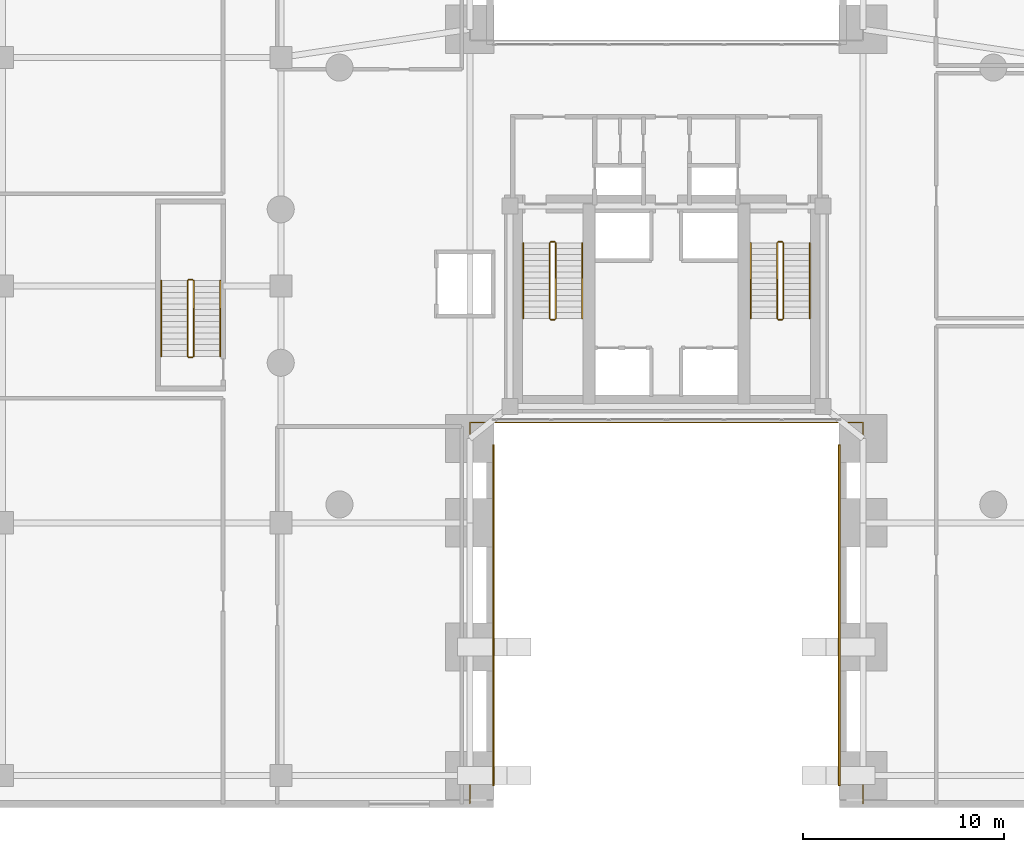
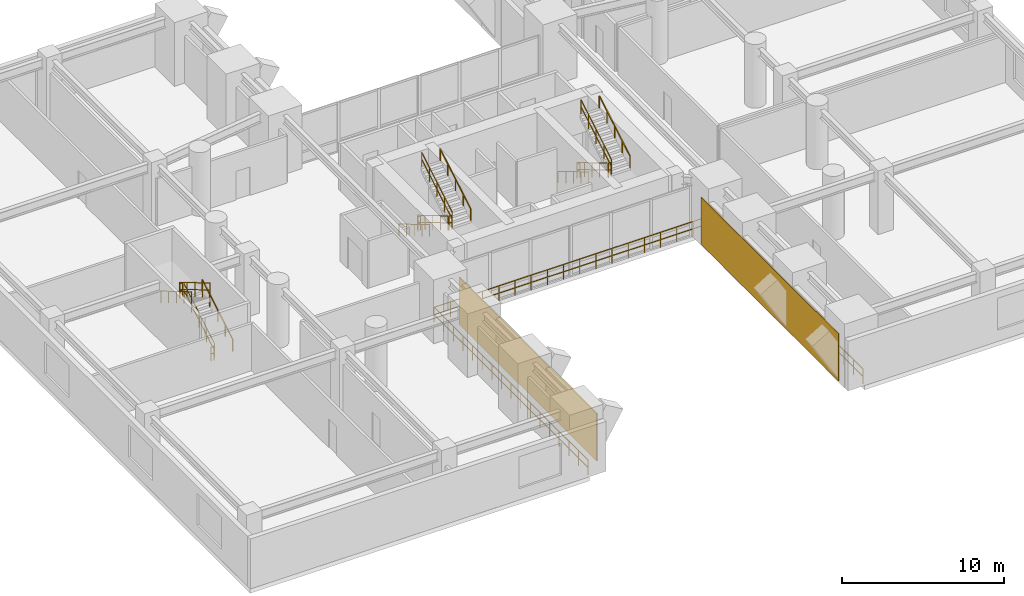
# One storey, part 13 of 14: 19 railings, 2 coverings.
"""IFC4 building model written with IfcOpenShell, lengths in metres."""

from ifc_helpers import new_model, si_unit, direction, frame, origin, origin_2d, place, context, subcontext, project, spatial, rectangle, extrude, material, layer, layer_set, type_object, element, save


model = new_model("IFC4")

# Units and contexts
model_context = context("Model", 3, precision=1e-05, world=origin(), true_north=direction((0.0, 1.0)))
body_context = subcontext(model_context, "Body", "Model", "MODEL_VIEW")
ifc_project = project(units=[si_unit("LENGTHUNIT", "METRE"), si_unit("AREAUNIT", "SQUARE_METRE"), si_unit("VOLUMEUNIT", "CUBIC_METRE"), si_unit("PLANEANGLEUNIT", "RADIAN"), si_unit("MASSUNIT", "GRAM", prefix="KILO"), si_unit("THERMODYNAMICTEMPERATUREUNIT", "KELVIN"), si_unit("POWERUNIT", "WATT")], contexts=[model_context])

# Site, building, storey
site_placement = place(None, origin())
site = spatial("IfcSite", under=ifc_project, at=site_placement, CompositionType="ELEMENT")
building_placement = place(site_placement, origin())
building = spatial("IfcBuilding", under=site, at=building_placement, Name="Ocrelia Relay Tower", CompositionType="ELEMENT")
storey_placement = place(building_placement, frame((0.0, 0.0, 5.39990234375)))
storey = spatial("IfcBuildingStorey", under=building, at=storey_placement, Name="L01", CompositionType="ELEMENT", Elevation=5.39990234375)

# Coverings
ifc_material_1 = material(Name="Pigmented oxide terracotta architectural cladding", Category="masonry")
ifc_layer = layer(ifc_material_1, 0.080078125, Name="Pigmented oxide terracotta architectural cladding")
ifc_layer_set = layer_set([ifc_layer], Name="Pigmented oxide terracotta architectural cladding")
covering_type = type_object("IfcCoveringType", Name="COV-ARCH-CLAD", PredefinedType="CLADDING", material=ifc_layer_set)
for number, where, z_axis, x_axis, name in (
    (1, (25.3798828125, 9.60009765625, 0.10009765625), (0.0, 0.0, 1.0), (1.0, 0.0, 0.0), "L01 Portal Arch Terracotta Cladding WS"),
    (2, (42.6201171875, 9.60009765625, 0.10009765625), (0.0, 0.0, 1.0), (1.0, 0.0, 0.0), "L01 Portal Arch Terracotta Cladding ES"),
):
    element("IfcCovering", number, at=place(storey_placement, frame(where, z_axis=z_axis, x_axis=x_axis)), inside=storey, type_object=covering_type, Name=name, PredefinedType="CLADDING", context=body_context, shape_type="SweptSolid", body=[
        extrude(rectangle(XDim=0.080078125, YDim=17.0, at=origin_2d()), origin(), (0.0, 0.0, 1.0), 3.56005859375),
    ])

# Railings
ifc_material_2 = material(Name="Steel S355 atrium balustrade", Category="steel")
railing_type_1 = type_object("IfcRailingType", Name="RL-INT-GUARD-115", PredefinedType="GUARDRAIL", material=ifc_material_2)
railing_1_placement = place(storey_placement, frame((24.199951171875, 0.199951171875, 0.0)))
element("IfcRailing", 3, at=railing_1_placement, inside=storey, type_object=railing_type_1, Name="L01 Portal Arch Gallery Guard S", PredefinedType="GUARDRAIL", context=body_context, shape_type="SweptSolid", body=[
    extrude(rectangle(XDim=0.048095703125, YDim=0.048095703125, at=origin_2d()), frame((0.0, 0.0, 1.1259765625), z_axis=(0.0, 1.0, 0.0), x_axis=(-1.0, 0.0, 0.0)), (0.0, 0.0, 1.0), 19.0),
    extrude(rectangle(XDim=0.048095703125, YDim=0.048095703125, at=origin_2d()), frame((0.0, 0.0, 0.574951171875), z_axis=(0.0, 1.0, 0.0), x_axis=(-1.0, 0.0, 0.0)), (0.0, 0.0, 1.0), 19.0),
    extrude(rectangle(XDim=0.048095703125, YDim=0.048095703125, at=origin_2d()), frame((0.0, 19.0, 1.1259765625), z_axis=(1.0, 0.0, 0.0), x_axis=(0.0, 1.0, 0.0)), (0.0, 0.0, 1.0), 19.60009765625),
    extrude(rectangle(XDim=0.048095703125, YDim=0.048095703125, at=origin_2d()), frame((0.0, 19.0, 0.574951171875), z_axis=(1.0, 0.0, 0.0), x_axis=(0.0, 1.0, 0.0)), (0.0, 0.0, 1.0), 19.60009765625),
    extrude(rectangle(XDim=0.048095703125, YDim=0.048095703125, at=origin_2d()), frame((19.60009765625, 19.0, 1.1259765625), z_axis=(0.0, -1.0, 0.0), x_axis=(1.0, 0.0, 0.0)), (0.0, 0.0, 1.0), 19.0),
    extrude(rectangle(XDim=0.048095703125, YDim=0.048095703125, at=origin_2d()), frame((19.60009765625, 19.0, 0.574951171875), z_axis=(0.0, -1.0, 0.0), x_axis=(1.0, 0.0, 0.0)), (0.0, 0.0, 1.0), 19.0),
    extrude(rectangle(XDim=0.0419921875, YDim=0.0419921875, at=origin_2d()), origin(), (0.0, 0.0, 1.0), 1.101806640625),
    extrude(rectangle(XDim=0.0419921875, YDim=0.0419921875, at=origin_2d()), frame((0.0, 1.1875, 0.0)), (0.0, 0.0, 1.0), 1.101806640625),
    extrude(rectangle(XDim=0.0419921875, YDim=0.0419921875, at=origin_2d()), frame((0.0, 2.375, 0.0)), (0.0, 0.0, 1.0), 1.101806640625),
    extrude(rectangle(XDim=0.0419921875, YDim=0.0419921875, at=origin_2d()), frame((0.0, 3.5625, 0.0)), (0.0, 0.0, 1.0), 1.101806640625),
    extrude(rectangle(XDim=0.0419921875, YDim=0.0419921875, at=origin_2d()), frame((0.0, 4.75, 0.0)), (0.0, 0.0, 1.0), 1.101806640625),
    extrude(rectangle(XDim=0.0419921875, YDim=0.0419921875, at=origin_2d()), frame((0.0, 5.9375, 0.0)), (0.0, 0.0, 1.0), 1.101806640625),
    extrude(rectangle(XDim=0.0419921875, YDim=0.0419921875, at=origin_2d()), frame((0.0, 7.125, 0.0)), (0.0, 0.0, 1.0), 1.101806640625),
    extrude(rectangle(XDim=0.0419921875, YDim=0.0419921875, at=origin_2d()), frame((0.0, 8.3125, 0.0)), (0.0, 0.0, 1.0), 1.101806640625),
    extrude(rectangle(XDim=0.0419921875, YDim=0.0419921875, at=origin_2d()), frame((0.0, 9.5, 0.0)), (0.0, 0.0, 1.0), 1.101806640625),
    extrude(rectangle(XDim=0.0419921875, YDim=0.0419921875, at=origin_2d()), frame((0.0, 10.6875, 0.0)), (0.0, 0.0, 1.0), 1.101806640625),
    extrude(rectangle(XDim=0.0419921875, YDim=0.0419921875, at=origin_2d()), frame((0.0, 11.875, 0.0)), (0.0, 0.0, 1.0), 1.101806640625),
    extrude(rectangle(XDim=0.0419921875, YDim=0.0419921875, at=origin_2d()), frame((0.0, 13.0625, 0.0)), (0.0, 0.0, 1.0), 1.101806640625),
    extrude(rectangle(XDim=0.0419921875, YDim=0.0419921875, at=origin_2d()), frame((0.0, 14.25, 0.0)), (0.0, 0.0, 1.0), 1.101806640625),
    extrude(rectangle(XDim=0.0419921875, YDim=0.0419921875, at=origin_2d()), frame((0.0, 15.4375, 0.0)), (0.0, 0.0, 1.0), 1.101806640625),
    extrude(rectangle(XDim=0.0419921875, YDim=0.0419921875, at=origin_2d()), frame((0.0, 16.625, 0.0)), (0.0, 0.0, 1.0), 1.101806640625),
    extrude(rectangle(XDim=0.0419921875, YDim=0.0419921875, at=origin_2d()), frame((0.0, 17.8125, 0.0)), (0.0, 0.0, 1.0), 1.101806640625),
    extrude(rectangle(XDim=0.0419921875, YDim=0.0419921875, at=origin_2d()), frame((0.0, 19.0, 0.0)), (0.0, 0.0, 1.0), 1.101806640625),
    extrude(rectangle(XDim=0.0419921875, YDim=0.0419921875, at=origin_2d()), frame((1.15283203125, 19.0, 0.0)), (0.0, 0.0, 1.0), 1.101806640625),
    extrude(rectangle(XDim=0.0419921875, YDim=0.0419921875, at=origin_2d()), frame((2.305908203125, 19.0, 0.0)), (0.0, 0.0, 1.0), 1.101806640625),
    extrude(rectangle(XDim=0.0419921875, YDim=0.0419921875, at=origin_2d()), frame((3.458740234375, 19.0, 0.0)), (0.0, 0.0, 1.0), 1.101806640625),
    extrude(rectangle(XDim=0.0419921875, YDim=0.0419921875, at=origin_2d()), frame((4.61181640625, 19.0, 0.0)), (0.0, 0.0, 1.0), 1.101806640625),
    extrude(rectangle(XDim=0.0419921875, YDim=0.0419921875, at=origin_2d()), frame((5.7646484375, 19.0, 0.0)), (0.0, 0.0, 1.0), 1.101806640625),
    extrude(rectangle(XDim=0.0419921875, YDim=0.0419921875, at=origin_2d()), frame((6.917724609375, 19.0, 0.0)), (0.0, 0.0, 1.0), 1.101806640625),
    extrude(rectangle(XDim=0.0419921875, YDim=0.0419921875, at=origin_2d()), frame((8.070556640625, 19.0, 0.0)), (0.0, 0.0, 1.0), 1.101806640625),
    extrude(rectangle(XDim=0.0419921875, YDim=0.0419921875, at=origin_2d()), frame((9.2236328125, 19.0, 0.0)), (0.0, 0.0, 1.0), 1.101806640625),
    extrude(rectangle(XDim=0.0419921875, YDim=0.0419921875, at=origin_2d()), frame((10.37646484375, 19.0, 0.0)), (0.0, 0.0, 1.0), 1.101806640625),
    extrude(rectangle(XDim=0.0419921875, YDim=0.0419921875, at=origin_2d()), frame((11.529541015625, 19.0, 0.0)), (0.0, 0.0, 1.0), 1.101806640625),
    extrude(rectangle(XDim=0.0419921875, YDim=0.0419921875, at=origin_2d()), frame((12.682373046875, 19.0, 0.0)), (0.0, 0.0, 1.0), 1.101806640625),
    extrude(rectangle(XDim=0.0419921875, YDim=0.0419921875, at=origin_2d()), frame((13.83544921875, 19.0, 0.0)), (0.0, 0.0, 1.0), 1.101806640625),
    extrude(rectangle(XDim=0.0419921875, YDim=0.0419921875, at=origin_2d()), frame((14.98828125, 19.0, 0.0)), (0.0, 0.0, 1.0), 1.101806640625),
    extrude(rectangle(XDim=0.0419921875, YDim=0.0419921875, at=origin_2d()), frame((16.141357421875, 19.0, 0.0)), (0.0, 0.0, 1.0), 1.101806640625),
    extrude(rectangle(XDim=0.0419921875, YDim=0.0419921875, at=origin_2d()), frame((17.294189453125, 19.0, 0.0)), (0.0, 0.0, 1.0), 1.101806640625),
    extrude(rectangle(XDim=0.0419921875, YDim=0.0419921875, at=origin_2d()), frame((18.447265625, 19.0, 0.0)), (0.0, 0.0, 1.0), 1.101806640625),
    extrude(rectangle(XDim=0.0419921875, YDim=0.0419921875, at=origin_2d()), frame((19.60009765625, 19.0, 0.0)), (0.0, 0.0, 1.0), 1.101806640625),
    extrude(rectangle(XDim=0.0419921875, YDim=0.0419921875, at=origin_2d()), frame((19.60009765625, 17.8125, 0.0)), (0.0, 0.0, 1.0), 1.101806640625),
    extrude(rectangle(XDim=0.0419921875, YDim=0.0419921875, at=origin_2d()), frame((19.60009765625, 16.625, 0.0)), (0.0, 0.0, 1.0), 1.101806640625),
    extrude(rectangle(XDim=0.0419921875, YDim=0.0419921875, at=origin_2d()), frame((19.60009765625, 15.4375, 0.0)), (0.0, 0.0, 1.0), 1.101806640625),
    extrude(rectangle(XDim=0.0419921875, YDim=0.0419921875, at=origin_2d()), frame((19.60009765625, 14.25, 0.0)), (0.0, 0.0, 1.0), 1.101806640625),
    extrude(rectangle(XDim=0.0419921875, YDim=0.0419921875, at=origin_2d()), frame((19.60009765625, 13.0625, 0.0)), (0.0, 0.0, 1.0), 1.101806640625),
    extrude(rectangle(XDim=0.0419921875, YDim=0.0419921875, at=origin_2d()), frame((19.60009765625, 11.875, 0.0)), (0.0, 0.0, 1.0), 1.101806640625),
    extrude(rectangle(XDim=0.0419921875, YDim=0.0419921875, at=origin_2d()), frame((19.60009765625, 10.6875, 0.0)), (0.0, 0.0, 1.0), 1.101806640625),
    extrude(rectangle(XDim=0.0419921875, YDim=0.0419921875, at=origin_2d()), frame((19.60009765625, 9.5, 0.0)), (0.0, 0.0, 1.0), 1.101806640625),
    extrude(rectangle(XDim=0.0419921875, YDim=0.0419921875, at=origin_2d()), frame((19.60009765625, 8.3125, 0.0)), (0.0, 0.0, 1.0), 1.101806640625),
    extrude(rectangle(XDim=0.0419921875, YDim=0.0419921875, at=origin_2d()), frame((19.60009765625, 7.125, 0.0)), (0.0, 0.0, 1.0), 1.101806640625),
    extrude(rectangle(XDim=0.0419921875, YDim=0.0419921875, at=origin_2d()), frame((19.60009765625, 5.9375, 0.0)), (0.0, 0.0, 1.0), 1.101806640625),
    extrude(rectangle(XDim=0.0419921875, YDim=0.0419921875, at=origin_2d()), frame((19.60009765625, 4.75, 0.0)), (0.0, 0.0, 1.0), 1.101806640625),
    extrude(rectangle(XDim=0.0419921875, YDim=0.0419921875, at=origin_2d()), frame((19.60009765625, 3.5625, 0.0)), (0.0, 0.0, 1.0), 1.101806640625),
    extrude(rectangle(XDim=0.0419921875, YDim=0.0419921875, at=origin_2d()), frame((19.60009765625, 2.375, 0.0)), (0.0, 0.0, 1.0), 1.101806640625),
    extrude(rectangle(XDim=0.0419921875, YDim=0.0419921875, at=origin_2d()), frame((19.60009765625, 1.1875, 0.0)), (0.0, 0.0, 1.0), 1.101806640625),
    extrude(rectangle(XDim=0.0419921875, YDim=0.0419921875, at=origin_2d()), frame((19.60009765625, 0.0, 0.0)), (0.0, 0.0, 1.0), 1.101806640625),
])
ifc_material_3 = material(Name="Steel S355 balustrade", Category="steel")
railing_type_2 = type_object("IfcRailingType", Name="RL-STAIR-GUARD", PredefinedType="GUARDRAIL", material=ifc_material_3)
railing_2_placement = place(storey_placement, frame((28.179931640625, 28.14990234375, 0.171630859375)))
element("IfcRailing", 4, at=railing_2_placement, inside=storey, type_object=railing_type_2, Name="L01 ST1 stair guard 1", PredefinedType="GUARDRAIL", context=body_context, shape_type="SweptSolid", body=[
    extrude(rectangle(XDim=0.048095703125, YDim=0.048095703125, at=origin_2d()), frame((0.0, 0.0, 1.076171875), z_axis=(0.0, -0.860848830602, 0.508860777473), x_axis=(1.0, 0.0, 0.0)), (0.0, 0.0, 1.0), 4.37939453125),
    extrude(rectangle(XDim=0.048095703125, YDim=0.048095703125, at=origin_2d()), frame((0.0, 0.0, 0.550048828125), z_axis=(0.0, -0.860848830602, 0.508860777473), x_axis=(1.0, 0.0, 0.0)), (0.0, 0.0, 1.0), 4.37939453125),
    extrude(rectangle(XDim=0.0419921875, YDim=0.0419921875, at=origin_2d()), origin(), (0.0, 0.0, 1.0), 1.052001953125),
    extrude(rectangle(XDim=0.0419921875, YDim=0.0419921875, at=origin_2d()), frame((0.0, -0.9423828125, 0.55712890625)), (0.0, 0.0, 1.0), 1.052001953125),
    extrude(rectangle(XDim=0.0419921875, YDim=0.0419921875, at=origin_2d()), frame((0.0, -1.885009765625, 1.1142578125)), (0.0, 0.0, 1.0), 1.052001953125),
    extrude(rectangle(XDim=0.0419921875, YDim=0.0419921875, at=origin_2d()), frame((0.0, -2.82763671875, 1.67138671875)), (0.0, 0.0, 1.0), 1.052001953125),
    extrude(rectangle(XDim=0.0419921875, YDim=0.0419921875, at=origin_2d()), frame((0.0, -3.77001953125, 2.228515625)), (0.0, 0.0, 1.0), 1.052001953125),
])
railing_3_placement = place(storey_placement, frame((28.22998046875, 24.330078125, 2.400146484375)))
element("IfcRailing", 5, at=railing_3_placement, inside=storey, type_object=railing_type_2, Name="L01 ST1 stair guard 2", PredefinedType="GUARDRAIL", context=body_context, shape_type="SweptSolid", body=[
    extrude(rectangle(XDim=0.048095703125, YDim=0.048095703125, at=origin_2d()), frame((0.0, 0.0, 1.076171875), z_axis=(1.0, 0.0, 0.0), x_axis=(0.0, 1.0, 0.0)), (0.0, 0.0, 1.0), 0.199951171875),
    extrude(rectangle(XDim=0.048095703125, YDim=0.048095703125, at=origin_2d()), frame((0.0, 0.0, 0.550048828125), z_axis=(1.0, 0.0, 0.0), x_axis=(0.0, 1.0, 0.0)), (0.0, 0.0, 1.0), 0.199951171875),
    extrude(rectangle(XDim=0.0419921875, YDim=0.0419921875, at=origin_2d()), origin(), (0.0, 0.0, 1.0), 1.052001953125),
    extrude(rectangle(XDim=0.0419921875, YDim=0.0419921875, at=origin_2d()), frame((0.199951171875, 0.0, 0.0)), (0.0, 0.0, 1.0), 1.052001953125),
])
railing_4_placement = place(storey_placement, frame((28.47998046875, 24.3798828125, 2.571533203125)))
element("IfcRailing", 6, at=railing_4_placement, inside=storey, type_object=railing_type_2, Name="L01 ST1 stair guard 3", PredefinedType="GUARDRAIL", context=body_context, shape_type="SweptSolid", body=[
    extrude(rectangle(XDim=0.048095703125, YDim=0.048095703125, at=origin_2d()), frame((0.0, 0.0, 1.076171875), z_axis=(0.0, 0.860848830602, 0.508860777473), x_axis=(-1.0, 0.0, 0.0)), (0.0, 0.0, 1.0), 4.37939453125),
    extrude(rectangle(XDim=0.048095703125, YDim=0.048095703125, at=origin_2d()), frame((0.0, 0.0, 0.550048828125), z_axis=(0.0, 0.860848830602, 0.508860777473), x_axis=(-1.0, 0.0, 0.0)), (0.0, 0.0, 1.0), 4.37939453125),
    extrude(rectangle(XDim=0.0419921875, YDim=0.0419921875, at=origin_2d()), origin(), (0.0, 0.0, 1.0), 1.052001953125),
    extrude(rectangle(XDim=0.0419921875, YDim=0.0419921875, at=origin_2d()), frame((0.0, 0.9423828125, 0.55712890625)), (0.0, 0.0, 1.0), 1.052001953125),
    extrude(rectangle(XDim=0.0419921875, YDim=0.0419921875, at=origin_2d()), frame((0.0, 1.885009765625, 1.1142578125)), (0.0, 0.0, 1.0), 1.052001953125),
    extrude(rectangle(XDim=0.0419921875, YDim=0.0419921875, at=origin_2d()), frame((0.0, 2.82763671875, 1.67138671875)), (0.0, 0.0, 1.0), 1.052001953125),
    extrude(rectangle(XDim=0.0419921875, YDim=0.0419921875, at=origin_2d()), frame((0.0, 3.77001953125, 2.228515625)), (0.0, 0.0, 1.0), 1.052001953125),
])
railing_5_placement = place(storey_placement, frame((28.22998046875, 28.199951171875, 0.0)))
element("IfcRailing", 7, at=railing_5_placement, inside=storey, type_object=railing_type_2, Name="L01 ST1 stair guard 4", PredefinedType="GUARDRAIL", context=body_context, shape_type="SweptSolid", body=[
    extrude(rectangle(XDim=0.048095703125, YDim=0.048095703125, at=origin_2d()), frame((0.0, 0.0, 1.076171875), z_axis=(1.0, 0.0, 0.0), x_axis=(0.0, 1.0, 0.0)), (0.0, 0.0, 1.0), 0.199951171875),
    extrude(rectangle(XDim=0.048095703125, YDim=0.048095703125, at=origin_2d()), frame((0.0, 0.0, 0.550048828125), z_axis=(1.0, 0.0, 0.0), x_axis=(0.0, 1.0, 0.0)), (0.0, 0.0, 1.0), 0.199951171875),
    extrude(rectangle(XDim=0.0419921875, YDim=0.0419921875, at=origin_2d()), origin(), (0.0, 0.0, 1.0), 1.052001953125),
    extrude(rectangle(XDim=0.0419921875, YDim=0.0419921875, at=origin_2d()), frame((0.199951171875, 0.0, 0.0)), (0.0, 0.0, 1.0), 1.052001953125),
])
railing_6_placement = place(storey_placement, frame((39.530029296875, 28.14990234375, 0.171630859375)))
element("IfcRailing", 8, at=railing_6_placement, inside=storey, type_object=railing_type_2, Name="L01 ST2 stair guard 1", PredefinedType="GUARDRAIL", context=body_context, shape_type="SweptSolid", body=[
    extrude(rectangle(XDim=0.048095703125, YDim=0.048095703125, at=origin_2d()), frame((0.0, 0.0, 1.076171875), z_axis=(0.0, -0.860848830602, 0.508860777473), x_axis=(1.0, 0.0, 0.0)), (0.0, 0.0, 1.0), 4.37939453125),
    extrude(rectangle(XDim=0.048095703125, YDim=0.048095703125, at=origin_2d()), frame((0.0, 0.0, 0.550048828125), z_axis=(0.0, -0.860848830602, 0.508860777473), x_axis=(1.0, 0.0, 0.0)), (0.0, 0.0, 1.0), 4.37939453125),
    extrude(rectangle(XDim=0.0419921875, YDim=0.0419921875, at=origin_2d()), origin(), (0.0, 0.0, 1.0), 1.052001953125),
    extrude(rectangle(XDim=0.0419921875, YDim=0.0419921875, at=origin_2d()), frame((0.0, -0.9423828125, 0.55712890625)), (0.0, 0.0, 1.0), 1.052001953125),
    extrude(rectangle(XDim=0.0419921875, YDim=0.0419921875, at=origin_2d()), frame((0.0, -1.885009765625, 1.1142578125)), (0.0, 0.0, 1.0), 1.052001953125),
    extrude(rectangle(XDim=0.0419921875, YDim=0.0419921875, at=origin_2d()), frame((0.0, -2.82763671875, 1.67138671875)), (0.0, 0.0, 1.0), 1.052001953125),
    extrude(rectangle(XDim=0.0419921875, YDim=0.0419921875, at=origin_2d()), frame((0.0, -3.77001953125, 2.228515625)), (0.0, 0.0, 1.0), 1.052001953125),
])
railing_7_placement = place(storey_placement, frame((39.580078125, 24.330078125, 2.400146484375)))
element("IfcRailing", 9, at=railing_7_placement, inside=storey, type_object=railing_type_2, Name="L01 ST2 stair guard 2", PredefinedType="GUARDRAIL", context=body_context, shape_type="SweptSolid", body=[
    extrude(rectangle(XDim=0.048095703125, YDim=0.048095703125, at=origin_2d()), frame((0.0, 0.0, 1.076171875), z_axis=(1.0, 0.0, 0.0), x_axis=(0.0, 1.0, 0.0)), (0.0, 0.0, 1.0), 0.199951171875),
    extrude(rectangle(XDim=0.048095703125, YDim=0.048095703125, at=origin_2d()), frame((0.0, 0.0, 0.550048828125), z_axis=(1.0, 0.0, 0.0), x_axis=(0.0, 1.0, 0.0)), (0.0, 0.0, 1.0), 0.199951171875),
    extrude(rectangle(XDim=0.0419921875, YDim=0.0419921875, at=origin_2d()), origin(), (0.0, 0.0, 1.0), 1.052001953125),
    extrude(rectangle(XDim=0.0419921875, YDim=0.0419921875, at=origin_2d()), frame((0.199951171875, 0.0, 0.0)), (0.0, 0.0, 1.0), 1.052001953125),
])
railing_8_placement = place(storey_placement, frame((39.830078125, 24.3798828125, 2.571533203125)))
element("IfcRailing", 10, at=railing_8_placement, inside=storey, type_object=railing_type_2, Name="L01 ST2 stair guard 3", PredefinedType="GUARDRAIL", context=body_context, shape_type="SweptSolid", body=[
    extrude(rectangle(XDim=0.048095703125, YDim=0.048095703125, at=origin_2d()), frame((0.0, 0.0, 1.076171875), z_axis=(0.0, 0.860848830602, 0.508860777473), x_axis=(-1.0, 0.0, 0.0)), (0.0, 0.0, 1.0), 4.37939453125),
    extrude(rectangle(XDim=0.048095703125, YDim=0.048095703125, at=origin_2d()), frame((0.0, 0.0, 0.550048828125), z_axis=(0.0, 0.860848830602, 0.508860777473), x_axis=(-1.0, 0.0, 0.0)), (0.0, 0.0, 1.0), 4.37939453125),
    extrude(rectangle(XDim=0.0419921875, YDim=0.0419921875, at=origin_2d()), origin(), (0.0, 0.0, 1.0), 1.052001953125),
    extrude(rectangle(XDim=0.0419921875, YDim=0.0419921875, at=origin_2d()), frame((0.0, 0.9423828125, 0.55712890625)), (0.0, 0.0, 1.0), 1.052001953125),
    extrude(rectangle(XDim=0.0419921875, YDim=0.0419921875, at=origin_2d()), frame((0.0, 1.885009765625, 1.1142578125)), (0.0, 0.0, 1.0), 1.052001953125),
    extrude(rectangle(XDim=0.0419921875, YDim=0.0419921875, at=origin_2d()), frame((0.0, 2.82763671875, 1.67138671875)), (0.0, 0.0, 1.0), 1.052001953125),
    extrude(rectangle(XDim=0.0419921875, YDim=0.0419921875, at=origin_2d()), frame((0.0, 3.77001953125, 2.228515625)), (0.0, 0.0, 1.0), 1.052001953125),
])
railing_9_placement = place(storey_placement, frame((39.580078125, 28.199951171875, 0.0)))
element("IfcRailing", 11, at=railing_9_placement, inside=storey, type_object=railing_type_2, Name="L01 ST2 stair guard 4", PredefinedType="GUARDRAIL", context=body_context, shape_type="SweptSolid", body=[
    extrude(rectangle(XDim=0.048095703125, YDim=0.048095703125, at=origin_2d()), frame((0.0, 0.0, 1.076171875), z_axis=(1.0, 0.0, 0.0), x_axis=(0.0, 1.0, 0.0)), (0.0, 0.0, 1.0), 0.199951171875),
    extrude(rectangle(XDim=0.048095703125, YDim=0.048095703125, at=origin_2d()), frame((0.0, 0.0, 0.550048828125), z_axis=(1.0, 0.0, 0.0), x_axis=(0.0, 1.0, 0.0)), (0.0, 0.0, 1.0), 0.199951171875),
    extrude(rectangle(XDim=0.0419921875, YDim=0.0419921875, at=origin_2d()), origin(), (0.0, 0.0, 1.0), 1.052001953125),
    extrude(rectangle(XDim=0.0419921875, YDim=0.0419921875, at=origin_2d()), frame((0.199951171875, 0.0, 0.0)), (0.0, 0.0, 1.0), 1.052001953125),
])
railing_10_placement = place(storey_placement, frame((10.429931640625, 22.5, 0.171630859375)))
element("IfcRailing", 12, at=railing_10_placement, inside=storey, type_object=railing_type_2, Name="L01 ST3 stair guard 1", PredefinedType="GUARDRAIL", context=body_context, shape_type="SweptSolid", body=[
    extrude(rectangle(XDim=0.048095703125, YDim=0.048095703125, at=origin_2d()), frame((0.0, 0.0, 1.076171875), z_axis=(0.0, 0.860848830602, 0.508860777473), x_axis=(-1.0, 0.0, 0.0)), (0.0, 0.0, 1.0), 4.37939453125),
    extrude(rectangle(XDim=0.048095703125, YDim=0.048095703125, at=origin_2d()), frame((0.0, 0.0, 0.550048828125), z_axis=(0.0, 0.860848830602, 0.508860777473), x_axis=(-1.0, 0.0, 0.0)), (0.0, 0.0, 1.0), 4.37939453125),
    extrude(rectangle(XDim=0.0419921875, YDim=0.0419921875, at=origin_2d()), origin(), (0.0, 0.0, 1.0), 1.052001953125),
    extrude(rectangle(XDim=0.0419921875, YDim=0.0419921875, at=origin_2d()), frame((0.0, 0.9423828125, 0.55712890625)), (0.0, 0.0, 1.0), 1.052001953125),
    extrude(rectangle(XDim=0.0419921875, YDim=0.0419921875, at=origin_2d()), frame((0.0, 1.885009765625, 1.1142578125)), (0.0, 0.0, 1.0), 1.052001953125),
    extrude(rectangle(XDim=0.0419921875, YDim=0.0419921875, at=origin_2d()), frame((0.0, 2.82763671875, 1.67138671875)), (0.0, 0.0, 1.0), 1.052001953125),
    extrude(rectangle(XDim=0.0419921875, YDim=0.0419921875, at=origin_2d()), frame((0.0, 3.77001953125, 2.228515625)), (0.0, 0.0, 1.0), 1.052001953125),
])
railing_11_placement = place(storey_placement, frame((10.3798828125, 26.320068359375, 2.400146484375)))
element("IfcRailing", 13, at=railing_11_placement, inside=storey, type_object=railing_type_2, Name="L01 ST3 stair guard 2", PredefinedType="GUARDRAIL", context=body_context, shape_type="SweptSolid", body=[
    extrude(rectangle(XDim=0.048095703125, YDim=0.048095703125, at=origin_2d()), frame((0.0, 0.0, 1.076171875), z_axis=(-1.0, 0.0, 0.0), x_axis=(0.0, -1.0, 0.0)), (0.0, 0.0, 1.0), 0.199951171875),
    extrude(rectangle(XDim=0.048095703125, YDim=0.048095703125, at=origin_2d()), frame((0.0, 0.0, 0.550048828125), z_axis=(-1.0, 0.0, 0.0), x_axis=(0.0, -1.0, 0.0)), (0.0, 0.0, 1.0), 0.199951171875),
    extrude(rectangle(XDim=0.0419921875, YDim=0.0419921875, at=origin_2d()), origin(), (0.0, 0.0, 1.0), 1.052001953125),
    extrude(rectangle(XDim=0.0419921875, YDim=0.0419921875, at=origin_2d()), frame((-0.199951171875, 0.0, 0.0)), (0.0, 0.0, 1.0), 1.052001953125),
])
railing_12_placement = place(storey_placement, frame((10.1298828125, 26.27001953125, 2.571533203125)))
element("IfcRailing", 14, at=railing_12_placement, inside=storey, type_object=railing_type_2, Name="L01 ST3 stair guard 3", PredefinedType="GUARDRAIL", context=body_context, shape_type="SweptSolid", body=[
    extrude(rectangle(XDim=0.048095703125, YDim=0.048095703125, at=origin_2d()), frame((0.0, 0.0, 1.076171875), z_axis=(0.0, -0.860848830602, 0.508860777473), x_axis=(1.0, 0.0, 0.0)), (0.0, 0.0, 1.0), 4.37939453125),
    extrude(rectangle(XDim=0.048095703125, YDim=0.048095703125, at=origin_2d()), frame((0.0, 0.0, 0.550048828125), z_axis=(0.0, -0.860848830602, 0.508860777473), x_axis=(1.0, 0.0, 0.0)), (0.0, 0.0, 1.0), 4.37939453125),
    extrude(rectangle(XDim=0.0419921875, YDim=0.0419921875, at=origin_2d()), origin(), (0.0, 0.0, 1.0), 1.052001953125),
    extrude(rectangle(XDim=0.0419921875, YDim=0.0419921875, at=origin_2d()), frame((0.0, -0.9423828125, 0.55712890625)), (0.0, 0.0, 1.0), 1.052001953125),
    extrude(rectangle(XDim=0.0419921875, YDim=0.0419921875, at=origin_2d()), frame((0.0, -1.885009765625, 1.1142578125)), (0.0, 0.0, 1.0), 1.052001953125),
    extrude(rectangle(XDim=0.0419921875, YDim=0.0419921875, at=origin_2d()), frame((0.0, -2.82763671875, 1.67138671875)), (0.0, 0.0, 1.0), 1.052001953125),
    extrude(rectangle(XDim=0.0419921875, YDim=0.0419921875, at=origin_2d()), frame((0.0, -3.77001953125, 2.228515625)), (0.0, 0.0, 1.0), 1.052001953125),
])
railing_13_placement = place(storey_placement, frame((10.3798828125, 22.449951171875, 0.0)))
element("IfcRailing", 15, at=railing_13_placement, inside=storey, type_object=railing_type_2, Name="L01 ST3 stair guard 4", PredefinedType="GUARDRAIL", context=body_context, shape_type="SweptSolid", body=[
    extrude(rectangle(XDim=0.048095703125, YDim=0.048095703125, at=origin_2d()), frame((0.0, 0.0, 1.076171875), z_axis=(-1.0, 0.0, 0.0), x_axis=(0.0, -1.0, 0.0)), (0.0, 0.0, 1.0), 0.199951171875),
    extrude(rectangle(XDim=0.048095703125, YDim=0.048095703125, at=origin_2d()), frame((0.0, 0.0, 0.550048828125), z_axis=(-1.0, 0.0, 0.0), x_axis=(0.0, -1.0, 0.0)), (0.0, 0.0, 1.0), 0.199951171875),
    extrude(rectangle(XDim=0.0419921875, YDim=0.0419921875, at=origin_2d()), origin(), (0.0, 0.0, 1.0), 1.052001953125),
    extrude(rectangle(XDim=0.0419921875, YDim=0.0419921875, at=origin_2d()), frame((-0.199951171875, 0.0, 0.0)), (0.0, 0.0, 1.0), 1.052001953125),
])
ifc_material_4 = material(Name="Steel S355 tubular handrail", Category="steel")
railing_type_3 = type_object("IfcRailingType", Name="RL-STAIR-HAND", PredefinedType="HANDRAIL", material=ifc_material_4)
railing_14_placement = place(storey_placement, frame((26.860107421875, 28.14990234375, 0.171630859375)))
element("IfcRailing", 16, at=railing_14_placement, inside=storey, type_object=railing_type_3, Name="L01 ST1 stair handrail 1", PredefinedType="HANDRAIL", context=body_context, shape_type="SweptSolid", body=[
    extrude(rectangle(XDim=0.048095703125, YDim=0.048095703125, at=origin_2d()), frame((0.0, 0.0, 0.8759765625), z_axis=(0.0, -0.860848830602, 0.508860777473), x_axis=(1.0, 0.0, 0.0)), (0.0, 0.0, 1.0), 4.37939453125),
    extrude(rectangle(XDim=0.0419921875, YDim=0.0419921875, at=origin_2d()), origin(), (0.0, 0.0, 1.0), 0.851806640625),
    extrude(rectangle(XDim=0.0419921875, YDim=0.0419921875, at=origin_2d()), frame((0.0, -0.9423828125, 0.55712890625)), (0.0, 0.0, 1.0), 0.851806640625),
    extrude(rectangle(XDim=0.0419921875, YDim=0.0419921875, at=origin_2d()), frame((0.0, -1.885009765625, 1.1142578125)), (0.0, 0.0, 1.0), 0.851806640625),
    extrude(rectangle(XDim=0.0419921875, YDim=0.0419921875, at=origin_2d()), frame((0.0, -2.82763671875, 1.67138671875)), (0.0, 0.0, 1.0), 0.851806640625),
    extrude(rectangle(XDim=0.0419921875, YDim=0.0419921875, at=origin_2d()), frame((0.0, -3.77001953125, 2.228515625)), (0.0, 0.0, 1.0), 0.851806640625),
])
railing_15_placement = place(storey_placement, frame((29.800048828125, 24.3798828125, 2.571533203125)))
element("IfcRailing", 17, at=railing_15_placement, inside=storey, type_object=railing_type_3, Name="L01 ST1 stair handrail 2", PredefinedType="HANDRAIL", context=body_context, shape_type="SweptSolid", body=[
    extrude(rectangle(XDim=0.048095703125, YDim=0.048095703125, at=origin_2d()), frame((0.0, 0.0, 0.8759765625), z_axis=(0.0, 0.860848830602, 0.508860777473), x_axis=(-1.0, 0.0, 0.0)), (0.0, 0.0, 1.0), 4.37939453125),
    extrude(rectangle(XDim=0.0419921875, YDim=0.0419921875, at=origin_2d()), origin(), (0.0, 0.0, 1.0), 0.851806640625),
    extrude(rectangle(XDim=0.0419921875, YDim=0.0419921875, at=origin_2d()), frame((0.0, 0.9423828125, 0.55712890625)), (0.0, 0.0, 1.0), 0.851806640625),
    extrude(rectangle(XDim=0.0419921875, YDim=0.0419921875, at=origin_2d()), frame((0.0, 1.885009765625, 1.1142578125)), (0.0, 0.0, 1.0), 0.851806640625),
    extrude(rectangle(XDim=0.0419921875, YDim=0.0419921875, at=origin_2d()), frame((0.0, 2.82763671875, 1.67138671875)), (0.0, 0.0, 1.0), 0.851806640625),
    extrude(rectangle(XDim=0.0419921875, YDim=0.0419921875, at=origin_2d()), frame((0.0, 3.77001953125, 2.228515625)), (0.0, 0.0, 1.0), 0.851806640625),
])
railing_16_placement = place(storey_placement, frame((38.2099609375, 28.14990234375, 0.171630859375)))
element("IfcRailing", 18, at=railing_16_placement, inside=storey, type_object=railing_type_3, Name="L01 ST2 stair handrail 1", PredefinedType="HANDRAIL", context=body_context, shape_type="SweptSolid", body=[
    extrude(rectangle(XDim=0.048095703125, YDim=0.048095703125, at=origin_2d()), frame((0.0, 0.0, 0.8759765625), z_axis=(0.0, -0.860848830602, 0.508860777473), x_axis=(1.0, 0.0, 0.0)), (0.0, 0.0, 1.0), 4.37939453125),
    extrude(rectangle(XDim=0.0419921875, YDim=0.0419921875, at=origin_2d()), origin(), (0.0, 0.0, 1.0), 0.851806640625),
    extrude(rectangle(XDim=0.0419921875, YDim=0.0419921875, at=origin_2d()), frame((0.0, -0.9423828125, 0.55712890625)), (0.0, 0.0, 1.0), 0.851806640625),
    extrude(rectangle(XDim=0.0419921875, YDim=0.0419921875, at=origin_2d()), frame((0.0, -1.885009765625, 1.1142578125)), (0.0, 0.0, 1.0), 0.851806640625),
    extrude(rectangle(XDim=0.0419921875, YDim=0.0419921875, at=origin_2d()), frame((0.0, -2.82763671875, 1.67138671875)), (0.0, 0.0, 1.0), 0.851806640625),
    extrude(rectangle(XDim=0.0419921875, YDim=0.0419921875, at=origin_2d()), frame((0.0, -3.77001953125, 2.228515625)), (0.0, 0.0, 1.0), 0.851806640625),
])
for number, where, name in (
    (19, (41.14990234375, 24.3798828125, 2.571533203125), "L01 ST2 stair handrail 2"),
    (20, (11.75, 22.5, 0.171630859375), "L01 ST3 stair handrail 1"),
):
    element("IfcRailing", number, at=place(storey_placement, frame(where)), inside=storey, type_object=railing_type_3, Name=name, PredefinedType="HANDRAIL", context=body_context, shape_type="SweptSolid", body=[
        extrude(rectangle(XDim=0.048095703125, YDim=0.048095703125, at=origin_2d()), frame((0.0, 0.0, 0.8759765625), z_axis=(0.0, 0.860848830602, 0.508860777473), x_axis=(-1.0, 0.0, 0.0)), (0.0, 0.0, 1.0), 4.37939453125),
        extrude(rectangle(XDim=0.0419921875, YDim=0.0419921875, at=origin_2d()), origin(), (0.0, 0.0, 1.0), 0.851806640625),
        extrude(rectangle(XDim=0.0419921875, YDim=0.0419921875, at=origin_2d()), frame((0.0, 0.9423828125, 0.55712890625)), (0.0, 0.0, 1.0), 0.851806640625),
        extrude(rectangle(XDim=0.0419921875, YDim=0.0419921875, at=origin_2d()), frame((0.0, 1.885009765625, 1.1142578125)), (0.0, 0.0, 1.0), 0.851806640625),
        extrude(rectangle(XDim=0.0419921875, YDim=0.0419921875, at=origin_2d()), frame((0.0, 2.82763671875, 1.67138671875)), (0.0, 0.0, 1.0), 0.851806640625),
        extrude(rectangle(XDim=0.0419921875, YDim=0.0419921875, at=origin_2d()), frame((0.0, 3.77001953125, 2.228515625)), (0.0, 0.0, 1.0), 0.851806640625),
    ])
railing_17_placement = place(storey_placement, frame((8.81005859375, 26.27001953125, 2.571533203125)))
element("IfcRailing", 21, at=railing_17_placement, inside=storey, type_object=railing_type_3, Name="L01 ST3 stair handrail 2", PredefinedType="HANDRAIL", context=body_context, shape_type="SweptSolid", body=[
    extrude(rectangle(XDim=0.048095703125, YDim=0.048095703125, at=origin_2d()), frame((0.0, 0.0, 0.8759765625), z_axis=(0.0, -0.860848830602, 0.508860777473), x_axis=(1.0, 0.0, 0.0)), (0.0, 0.0, 1.0), 4.37939453125),
    extrude(rectangle(XDim=0.0419921875, YDim=0.0419921875, at=origin_2d()), origin(), (0.0, 0.0, 1.0), 0.851806640625),
    extrude(rectangle(XDim=0.0419921875, YDim=0.0419921875, at=origin_2d()), frame((0.0, -0.9423828125, 0.55712890625)), (0.0, 0.0, 1.0), 0.851806640625),
    extrude(rectangle(XDim=0.0419921875, YDim=0.0419921875, at=origin_2d()), frame((0.0, -1.885009765625, 1.1142578125)), (0.0, 0.0, 1.0), 0.851806640625),
    extrude(rectangle(XDim=0.0419921875, YDim=0.0419921875, at=origin_2d()), frame((0.0, -2.82763671875, 1.67138671875)), (0.0, 0.0, 1.0), 0.851806640625),
    extrude(rectangle(XDim=0.0419921875, YDim=0.0419921875, at=origin_2d()), frame((0.0, -3.77001953125, 2.228515625)), (0.0, 0.0, 1.0), 0.851806640625),
])

save(model, "model.ifc")
